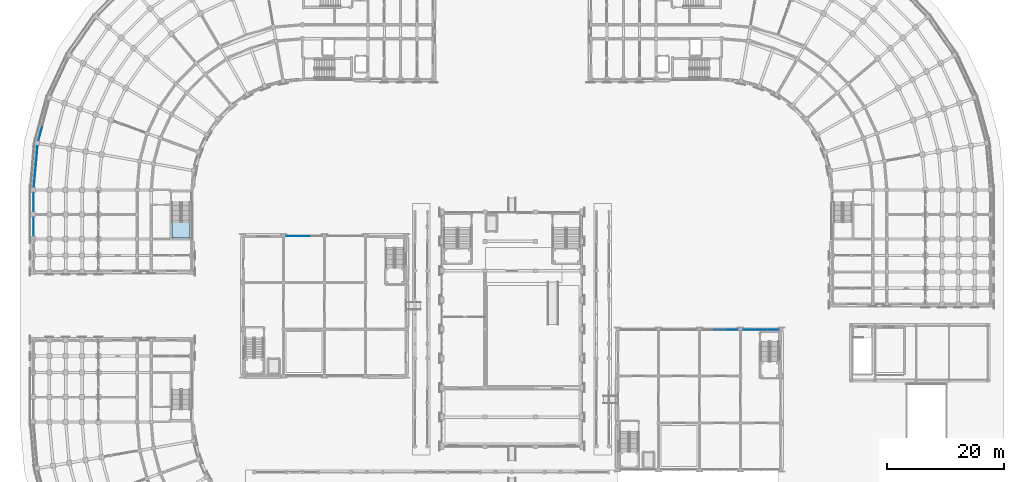
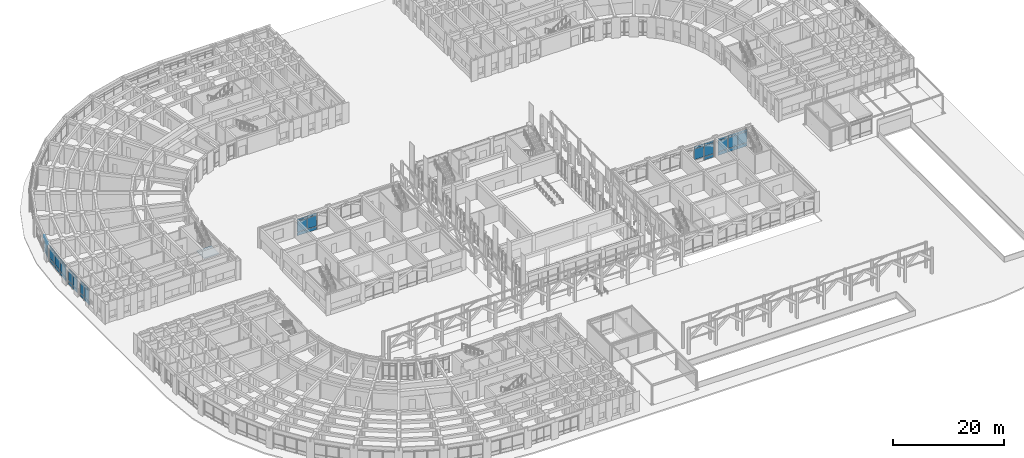
# One storey, part 63 of 135: 44 plates, 1 slab, 8 elements without a shape of their own.
"""IFC4 building model written with IfcOpenShell, lengths in metres."""

from ifc_helpers import new_model, si_unit, direction, frame, origin, origin_2d, place, context, subcontext, project, spatial, polyline, rectangle, outline, extrude, material, layer, layer_set, type_object, element, aggregate, save


model = new_model("IFC4")

# Units and contexts
model_context = context("Model", 3, precision=1e-05, world=origin(), true_north=direction((0.0, 1.0)))
body_context = subcontext(model_context, "Body", "Model", "MODEL_VIEW")
ifc_project = project(units=[si_unit("LENGTHUNIT", "METRE"), si_unit("AREAUNIT", "SQUARE_METRE"), si_unit("VOLUMEUNIT", "CUBIC_METRE"), si_unit("PLANEANGLEUNIT", "RADIAN"), si_unit("MASSUNIT", "GRAM", prefix="KILO")], contexts=[model_context])

# Site, building, storey
site_placement = place(None, origin())
site = spatial("IfcSite", under=ifc_project, at=site_placement, CompositionType="ELEMENT")
building_placement = place(site_placement, origin())
building = spatial("IfcBuilding", under=site, at=building_placement, Name="Kiranvali Square Residences", CompositionType="ELEMENT")
storey_placement = place(building_placement, origin())
storey = spatial("IfcBuildingStorey", under=building, at=storey_placement, Name="L00", CompositionType="ELEMENT", Elevation=0.0)

# Curtain wall, plates
ifc_material_1 = material(Name="Anodised bronze aluminium framing", Category="aluminium")
curtain_wall_type_1 = type_object("IfcCurtainWallType", Name="CW-RET-SHOP", PredefinedType="USERDEFINED", material=ifc_material_1)
curtain_wall_1_placement = place(storey_placement, origin())
curtain_wall_1 = element("IfcCurtainWall", 1, at=curtain_wall_1_placement, inside=storey, type_object=curtain_wall_type_1, Name="Block A L00 rounded-corner arcade curtain wall 8", ObjectType="CURTAIN WALL", PredefinedType="USERDEFINED")
ifc_material_2 = material(Name="Solar-control low-e double glazing", Category="glass")
ifc_layer_1 = layer(ifc_material_2, 0.028076171875)
ifc_layer_set_1 = layer_set([ifc_layer_1], Name="Solar-control low-e double glazing")
plate_type_1 = type_object("IfcPlateType", Name="PLT-CW-GLZ", PredefinedType="CURTAIN_PANEL", material=ifc_layer_set_1)
plate_1_placement = place(storey_placement, frame((3.48095703125, 97.381103515625, 0.89013671875), z_axis=(0.0, 0.0, 1.0), x_axis=(-0.258819045103, -0.965925826289, 0.0)))
plate_1 = element("IfcPlate", 2, at=plate_1_placement, type_object=plate_type_1, Name="CW-A-L00-CRV-07 glazed panel 3.2", PredefinedType="CURTAIN_PANEL", context=body_context, shape_type="SweptSolid", body=[
    extrude(rectangle(XDim=2.239501953125, YDim=0.028076171875, at=origin_2d()), origin(), (0.0, 0.0, 1.0), 2.169921875),
])
plate_2_placement = place(storey_placement, frame((3.48095703125, 97.381103515625, 3.14013671875), z_axis=(0.0, 0.0, 1.0), x_axis=(-0.258819045103, -0.965925826289, 0.0)))
plate_2 = element("IfcPlate", 3, at=plate_2_placement, type_object=plate_type_1, Name="CW-A-L00-CRV-07 glazed panel 3.3", PredefinedType="CURTAIN_PANEL", context=body_context, shape_type="SweptSolid", body=[
    extrude(rectangle(XDim=2.239501953125, YDim=0.028076171875, at=origin_2d()), origin(), (0.0, 0.0, 1.0), 0.429931640625),
])

curtain_wall_2_placement = place(storey_placement, origin())
curtain_wall_2 = element("IfcCurtainWall", 4, at=curtain_wall_2_placement, inside=storey, type_object=curtain_wall_type_1, Name="Block A L00 rounded-corner arcade curtain wall 9", ObjectType="CURTAIN WALL", PredefinedType="USERDEFINED")
plate_3_placement = place(storey_placement, frame((2.90087890625, 94.091552734375, 0.89013671875), z_axis=(0.0, 0.0, 1.0), x_axis=(-0.087155742748, -0.996194698092, 0.0)))
plate_3 = element("IfcPlate", 5, at=plate_3_placement, type_object=plate_type_1, Name="CW-A-L00-CRV-08 glazed panel 1.2", PredefinedType="CURTAIN_PANEL", context=body_context, shape_type="SweptSolid", body=[
    extrude(rectangle(XDim=2.239501953125, YDim=0.028076171875, at=origin_2d()), origin(), (0.0, 0.0, 1.0), 2.169921875),
])
plate_4_placement = place(storey_placement, frame((2.90087890625, 94.091552734375, 3.14013671875), z_axis=(0.0, 0.0, 1.0), x_axis=(-0.087155742748, -0.996194698092, 0.0)))
plate_4 = element("IfcPlate", 6, at=plate_4_placement, type_object=plate_type_1, Name="CW-A-L00-CRV-08 glazed panel 1.3", PredefinedType="CURTAIN_PANEL", context=body_context, shape_type="SweptSolid", body=[
    extrude(rectangle(XDim=2.239501953125, YDim=0.028076171875, at=origin_2d()), origin(), (0.0, 0.0, 1.0), 0.429931640625),
])
plate_5_placement = place(storey_placement, frame((2.69873046875, 91.78076171875, 0.89013671875), z_axis=(0.0, 0.0, 1.0), x_axis=(-0.087155742748, -0.996194698092, 0.0)))
plate_5 = element("IfcPlate", 7, at=plate_5_placement, type_object=plate_type_1, Name="CW-A-L00-CRV-08 glazed panel 2.2", PredefinedType="CURTAIN_PANEL", context=body_context, shape_type="SweptSolid", body=[
    extrude(rectangle(XDim=2.239501953125, YDim=0.028076171875, at=origin_2d()), origin(), (0.0, 0.0, 1.0), 2.169921875),
])
plate_6_placement = place(storey_placement, frame((2.69873046875, 91.78076171875, 3.14013671875), z_axis=(0.0, 0.0, 1.0), x_axis=(-0.087155742748, -0.996194698092, 0.0)))
plate_6 = element("IfcPlate", 8, at=plate_6_placement, type_object=plate_type_1, Name="CW-A-L00-CRV-08 glazed panel 2.3", PredefinedType="CURTAIN_PANEL", context=body_context, shape_type="SweptSolid", body=[
    extrude(rectangle(XDim=2.239501953125, YDim=0.028076171875, at=origin_2d()), origin(), (0.0, 0.0, 1.0), 0.429931640625),
])
plate_7_placement = place(storey_placement, frame((2.49658203125, 89.47021484375, 0.89013671875), z_axis=(0.0, 0.0, 1.0), x_axis=(-0.087155742748, -0.996194698092, 0.0)))
plate_7 = element("IfcPlate", 9, at=plate_7_placement, type_object=plate_type_1, Name="CW-A-L00-CRV-08 glazed panel 3.2", PredefinedType="CURTAIN_PANEL", context=body_context, shape_type="SweptSolid", body=[
    extrude(rectangle(XDim=2.239501953125, YDim=0.028076171875, at=origin_2d()), origin(), (0.0, 0.0, 1.0), 2.169921875),
])
plate_8_placement = place(storey_placement, frame((2.49658203125, 89.47021484375, 3.14013671875), z_axis=(0.0, 0.0, 1.0), x_axis=(-0.087155742748, -0.996194698092, 0.0)))
plate_8 = element("IfcPlate", 10, at=plate_8_placement, type_object=plate_type_1, Name="CW-A-L00-CRV-08 glazed panel 3.3", PredefinedType="CURTAIN_PANEL", context=body_context, shape_type="SweptSolid", body=[
    extrude(rectangle(XDim=2.239501953125, YDim=0.028076171875, at=origin_2d()), origin(), (0.0, 0.0, 1.0), 0.429931640625),
])

curtain_wall_3_placement = place(storey_placement, origin())
curtain_wall_3 = element("IfcCurtainWall", 11, at=curtain_wall_3_placement, inside=storey, type_object=curtain_wall_type_1, Name="L00 curtain wall CW-A-L00-A2-0", ObjectType="CURTAIN WALL", PredefinedType="USERDEFINED")
plate_9_placement = place(storey_placement, frame((2.320068359375, 86.485107421875, 0.89013671875), z_axis=(0.0, 0.0, 1.0), x_axis=(0.0, -1.0, 0.0)))
plate_9 = element("IfcPlate", 12, at=plate_9_placement, type_object=plate_type_1, Name="CW-A-L00-A2-0 glazed panel 1.2", PredefinedType="CURTAIN_PANEL", context=body_context, shape_type="SweptSolid", body=[
    extrude(rectangle(XDim=1.489990234375, YDim=0.028076171875, at=origin_2d()), origin(), (0.0, 0.0, 1.0), 2.169921875),
])
plate_10_placement = place(storey_placement, frame((2.320068359375, 86.485107421875, 3.14013671875), z_axis=(0.0, 0.0, 1.0), x_axis=(0.0, -1.0, 0.0)))
plate_10 = element("IfcPlate", 13, at=plate_10_placement, type_object=plate_type_1, Name="CW-A-L00-A2-0 glazed panel 1.3", PredefinedType="CURTAIN_PANEL", context=body_context, shape_type="SweptSolid", body=[
    extrude(rectangle(XDim=1.489990234375, YDim=0.028076171875, at=origin_2d()), origin(), (0.0, 0.0, 1.0), 0.429931640625),
])
plate_11_placement = place(storey_placement, frame((2.320068359375, 84.9150390625, 0.89013671875), z_axis=(0.0, 0.0, 1.0), x_axis=(0.0, -1.0, 0.0)))
plate_11 = element("IfcPlate", 14, at=plate_11_placement, type_object=plate_type_1, Name="CW-A-L00-A2-0 glazed panel 2.2", PredefinedType="CURTAIN_PANEL", context=body_context, shape_type="SweptSolid", body=[
    extrude(rectangle(XDim=1.489990234375, YDim=0.028076171875, at=origin_2d()), origin(), (0.0, 0.0, 1.0), 2.169921875),
])
plate_12_placement = place(storey_placement, frame((2.320068359375, 84.9150390625, 3.14013671875), z_axis=(0.0, 0.0, 1.0), x_axis=(0.0, -1.0, 0.0)))
plate_12 = element("IfcPlate", 15, at=plate_12_placement, type_object=plate_type_1, Name="CW-A-L00-A2-0 glazed panel 2.3", PredefinedType="CURTAIN_PANEL", context=body_context, shape_type="SweptSolid", body=[
    extrude(rectangle(XDim=1.489990234375, YDim=0.028076171875, at=origin_2d()), origin(), (0.0, 0.0, 1.0), 0.429931640625),
])

curtain_wall_4_placement = place(storey_placement, origin())
curtain_wall_4 = element("IfcCurtainWall", 16, at=curtain_wall_4_placement, inside=storey, type_object=curtain_wall_type_1, Name="L00 curtain wall CW-A-L00-A2-1", ObjectType="CURTAIN WALL", PredefinedType="USERDEFINED")
plate_13_placement = place(storey_placement, frame((2.320068359375, 82.284912109375, 0.89013671875), z_axis=(0.0, 0.0, 1.0), x_axis=(0.0, -1.0, 0.0)))
plate_13 = element("IfcPlate", 17, at=plate_13_placement, type_object=plate_type_1, Name="CW-A-L00-A2-1 glazed panel 1.2", PredefinedType="CURTAIN_PANEL", context=body_context, shape_type="SweptSolid", body=[
    extrude(rectangle(XDim=1.489990234375, YDim=0.028076171875, at=origin_2d()), origin(), (0.0, 0.0, 1.0), 2.169921875),
])
plate_14_placement = place(storey_placement, frame((2.320068359375, 82.284912109375, 3.14013671875), z_axis=(0.0, 0.0, 1.0), x_axis=(0.0, -1.0, 0.0)))
plate_14 = element("IfcPlate", 18, at=plate_14_placement, type_object=plate_type_1, Name="CW-A-L00-A2-1 glazed panel 1.3", PredefinedType="CURTAIN_PANEL", context=body_context, shape_type="SweptSolid", body=[
    extrude(rectangle(XDim=1.489990234375, YDim=0.028076171875, at=origin_2d()), origin(), (0.0, 0.0, 1.0), 0.429931640625),
])
plate_15_placement = place(storey_placement, frame((2.320068359375, 80.715087890625, 0.89013671875), z_axis=(0.0, 0.0, 1.0), x_axis=(0.0, -1.0, 0.0)))
plate_15 = element("IfcPlate", 19, at=plate_15_placement, type_object=plate_type_1, Name="CW-A-L00-A2-1 glazed panel 2.2", PredefinedType="CURTAIN_PANEL", context=body_context, shape_type="SweptSolid", body=[
    extrude(rectangle(XDim=1.489990234375, YDim=0.028076171875, at=origin_2d()), origin(), (0.0, 0.0, 1.0), 2.169921875),
])
plate_16_placement = place(storey_placement, frame((2.320068359375, 80.715087890625, 3.14013671875), z_axis=(0.0, 0.0, 1.0), x_axis=(0.0, -1.0, 0.0)))
plate_16 = element("IfcPlate", 20, at=plate_16_placement, type_object=plate_type_1, Name="CW-A-L00-A2-1 glazed panel 2.3", PredefinedType="CURTAIN_PANEL", context=body_context, shape_type="SweptSolid", body=[
    extrude(rectangle(XDim=1.489990234375, YDim=0.028076171875, at=origin_2d()), origin(), (0.0, 0.0, 1.0), 0.429931640625),
])

curtain_wall_type_2 = type_object("IfcCurtainWallType", Name="CW-PAV-GLZ", PredefinedType="USERDEFINED", material=ifc_material_1)
curtain_wall_5_placement = place(storey_placement, origin())
curtain_wall_5 = element("IfcCurtainWall", 21, at=curtain_wall_5_placement, inside=storey, type_object=curtain_wall_type_2, Name="Nursery Pavilion north arcade curtain wall 2", ObjectType="CURTAIN WALL", PredefinedType="USERDEFINED")
plate_17_placement = place(storey_placement, frame((46.453369140625, 79.89990234375, 0.889892578125), z_axis=(0.0, 0.0, 1.0), x_axis=(1.0, 0.0, 0.0)))
plate_17 = element("IfcPlate", 22, at=plate_17_placement, type_object=plate_type_1, Name="CW-NR-N0-1 glazed panel 1.2", PredefinedType="CURTAIN_PANEL", context=body_context, shape_type="SweptSolid", body=[
    extrude(rectangle(XDim=1.966796875, YDim=0.028076171875, at=origin_2d()), origin(), (0.0, 0.0, 1.0), 2.3701171875),
])
plate_18_placement = place(storey_placement, frame((46.453369140625, 79.89990234375, 3.33984375), z_axis=(0.0, 0.0, 1.0), x_axis=(1.0, 0.0, 0.0)))
plate_18 = element("IfcPlate", 23, at=plate_18_placement, type_object=plate_type_1, Name="CW-NR-N0-1 glazed panel 1.3", PredefinedType="CURTAIN_PANEL", context=body_context, shape_type="SweptSolid", body=[
    extrude(rectangle(XDim=1.966796875, YDim=0.028076171875, at=origin_2d()), origin(), (0.0, 0.0, 1.0), 0.429931640625),
])
plate_19_placement = place(storey_placement, frame((48.5, 79.89990234375, 0.889892578125), z_axis=(0.0, 0.0, 1.0), x_axis=(1.0, 0.0, 0.0)))
plate_19 = element("IfcPlate", 24, at=plate_19_placement, type_object=plate_type_1, Name="CW-NR-N0-1 glazed panel 2.2", PredefinedType="CURTAIN_PANEL", context=body_context, shape_type="SweptSolid", body=[
    extrude(rectangle(XDim=1.966796875, YDim=0.028076171875, at=origin_2d()), origin(), (0.0, 0.0, 1.0), 2.3701171875),
])
plate_20_placement = place(storey_placement, frame((48.5, 79.89990234375, 3.33984375), z_axis=(0.0, 0.0, 1.0), x_axis=(1.0, 0.0, 0.0)))
plate_20 = element("IfcPlate", 25, at=plate_20_placement, type_object=plate_type_1, Name="CW-NR-N0-1 glazed panel 2.3", PredefinedType="CURTAIN_PANEL", context=body_context, shape_type="SweptSolid", body=[
    extrude(rectangle(XDim=1.966796875, YDim=0.028076171875, at=origin_2d()), origin(), (0.0, 0.0, 1.0), 0.429931640625),
])

curtain_wall_6_placement = place(storey_placement, origin())
curtain_wall_6 = element("IfcCurtainWall", 26, at=curtain_wall_6_placement, inside=storey, type_object=curtain_wall_type_2, Name="Southeast Square Retail Pavilion north arcade curtain wall 3", ObjectType="CURTAIN WALL", PredefinedType="USERDEFINED")
plate_21_placement = place(storey_placement, frame((119.5, 63.89990234375, 0.889892578125), z_axis=(0.0, 0.0, 1.0), x_axis=(1.0, 0.0, 0.0)))
plate_21 = element("IfcPlate", 27, at=plate_21_placement, type_object=plate_type_1, Name="CW-RT-N0-2 glazed panel 2.2", PredefinedType="CURTAIN_PANEL", context=body_context, shape_type="SweptSolid", body=[
    extrude(rectangle(XDim=1.966796875, YDim=0.028076171875, at=origin_2d()), origin(), (0.0, 0.0, 1.0), 2.3701171875),
])
plate_22_placement = place(storey_placement, frame((119.5, 63.89990234375, 3.33984375), z_axis=(0.0, 0.0, 1.0), x_axis=(1.0, 0.0, 0.0)))
plate_22 = element("IfcPlate", 28, at=plate_22_placement, type_object=plate_type_1, Name="CW-RT-N0-2 glazed panel 2.3", PredefinedType="CURTAIN_PANEL", context=body_context, shape_type="SweptSolid", body=[
    extrude(rectangle(XDim=1.966796875, YDim=0.028076171875, at=origin_2d()), origin(), (0.0, 0.0, 1.0), 0.429931640625),
])
plate_23_placement = place(storey_placement, frame((121.546630859375, 63.89990234375, 0.889892578125), z_axis=(0.0, 0.0, 1.0), x_axis=(1.0, 0.0, 0.0)))
plate_23 = element("IfcPlate", 29, at=plate_23_placement, type_object=plate_type_1, Name="CW-RT-N0-2 glazed panel 3.2", PredefinedType="CURTAIN_PANEL", context=body_context, shape_type="SweptSolid", body=[
    extrude(rectangle(XDim=1.966796875, YDim=0.028076171875, at=origin_2d()), origin(), (0.0, 0.0, 1.0), 2.3701171875),
])
plate_24_placement = place(storey_placement, frame((121.546630859375, 63.89990234375, 3.33984375), z_axis=(0.0, 0.0, 1.0), x_axis=(1.0, 0.0, 0.0)))
plate_24 = element("IfcPlate", 30, at=plate_24_placement, type_object=plate_type_1, Name="CW-RT-N0-2 glazed panel 3.3", PredefinedType="CURTAIN_PANEL", context=body_context, shape_type="SweptSolid", body=[
    extrude(rectangle(XDim=1.966796875, YDim=0.028076171875, at=origin_2d()), origin(), (0.0, 0.0, 1.0), 0.429931640625),
])

curtain_wall_7_placement = place(storey_placement, origin())
curtain_wall_7 = element("IfcCurtainWall", 31, at=curtain_wall_7_placement, inside=storey, type_object=curtain_wall_type_2, Name="Southeast Square Retail Pavilion north arcade curtain wall 4", ObjectType="CURTAIN WALL", PredefinedType="USERDEFINED")
plate_25_placement = place(storey_placement, frame((124.453369140625, 63.89990234375, 0.889892578125), z_axis=(0.0, 0.0, 1.0), x_axis=(1.0, 0.0, 0.0)))
plate_25 = element("IfcPlate", 32, at=plate_25_placement, type_object=plate_type_1, Name="CW-RT-N0-3 glazed panel 1.2", PredefinedType="CURTAIN_PANEL", context=body_context, shape_type="SweptSolid", body=[
    extrude(rectangle(XDim=1.966796875, YDim=0.028076171875, at=origin_2d()), origin(), (0.0, 0.0, 1.0), 2.3701171875),
])
plate_26_placement = place(storey_placement, frame((124.453369140625, 63.89990234375, 3.33984375), z_axis=(0.0, 0.0, 1.0), x_axis=(1.0, 0.0, 0.0)))
plate_26 = element("IfcPlate", 33, at=plate_26_placement, type_object=plate_type_1, Name="CW-RT-N0-3 glazed panel 1.3", PredefinedType="CURTAIN_PANEL", context=body_context, shape_type="SweptSolid", body=[
    extrude(rectangle(XDim=1.966796875, YDim=0.028076171875, at=origin_2d()), origin(), (0.0, 0.0, 1.0), 0.429931640625),
])
plate_27_placement = place(storey_placement, frame((126.5, 63.89990234375, 0.889892578125), z_axis=(0.0, 0.0, 1.0), x_axis=(1.0, 0.0, 0.0)))
plate_27 = element("IfcPlate", 34, at=plate_27_placement, type_object=plate_type_1, Name="CW-RT-N0-3 glazed panel 2.2", PredefinedType="CURTAIN_PANEL", context=body_context, shape_type="SweptSolid", body=[
    extrude(rectangle(XDim=1.966796875, YDim=0.028076171875, at=origin_2d()), origin(), (0.0, 0.0, 1.0), 2.3701171875),
])
plate_28_placement = place(storey_placement, frame((126.5, 63.89990234375, 3.33984375), z_axis=(0.0, 0.0, 1.0), x_axis=(1.0, 0.0, 0.0)))
plate_28 = element("IfcPlate", 35, at=plate_28_placement, type_object=plate_type_1, Name="CW-RT-N0-3 glazed panel 2.3", PredefinedType="CURTAIN_PANEL", context=body_context, shape_type="SweptSolid", body=[
    extrude(rectangle(XDim=1.966796875, YDim=0.028076171875, at=origin_2d()), origin(), (0.0, 0.0, 1.0), 0.429931640625),
])
plate_29_placement = place(storey_placement, frame((128.546630859375, 63.89990234375, 0.889892578125), z_axis=(0.0, 0.0, 1.0), x_axis=(1.0, 0.0, 0.0)))
plate_29 = element("IfcPlate", 36, at=plate_29_placement, type_object=plate_type_1, Name="CW-RT-N0-3 glazed panel 3.2", PredefinedType="CURTAIN_PANEL", context=body_context, shape_type="SweptSolid", body=[
    extrude(rectangle(XDim=1.966796875, YDim=0.028076171875, at=origin_2d()), origin(), (0.0, 0.0, 1.0), 2.3701171875),
])
plate_30_placement = place(storey_placement, frame((128.546630859375, 63.89990234375, 3.33984375), z_axis=(0.0, 0.0, 1.0), x_axis=(1.0, 0.0, 0.0)))
plate_30 = element("IfcPlate", 37, at=plate_30_placement, type_object=plate_type_1, Name="CW-RT-N0-3 glazed panel 3.3", PredefinedType="CURTAIN_PANEL", context=body_context, shape_type="SweptSolid", body=[
    extrude(rectangle(XDim=1.966796875, YDim=0.028076171875, at=origin_2d()), origin(), (0.0, 0.0, 1.0), 0.429931640625),
])

# Plate
ifc_material_3 = material(Name="Honed Porbandar limestone ashlar facade cladding", Category="masonry")
ifc_layer_2 = layer(ifc_material_3, 0.02392578125)
ifc_layer_set_2 = layer_set([ifc_layer_2], Name="Honed Porbandar limestone ashlar facade cladding")
plate_type_2 = type_object("IfcPlateType", Name="PLT-CW-SPN", PredefinedType="SHEET", material=ifc_layer_set_2)
plate_31_placement = place(storey_placement, frame((3.48095703125, 97.381103515625, 0.080078125), z_axis=(0.0, 0.0, 1.0), x_axis=(-0.258819045103, -0.965925826289, 0.0)))
plate_31 = element("IfcPlate", 38, at=plate_31_placement, type_object=plate_type_2, Name="CW-A-L00-CRV-07 spandrel panel 3.1", PredefinedType="SHEET", context=body_context, shape_type="SweptSolid", body=[
    extrude(rectangle(XDim=2.239501953125, YDim=0.02392578125, at=origin_2d()), origin(), (0.0, 0.0, 1.0), 0.72998046875),
])

aggregate(curtain_wall_1, [plate_31, plate_1, plate_2])

plate_32_placement = place(storey_placement, frame((2.90087890625, 94.091552734375, 0.080078125), z_axis=(0.0, 0.0, 1.0), x_axis=(-0.087155742748, -0.996194698092, 0.0)))
plate_32 = element("IfcPlate", 39, at=plate_32_placement, type_object=plate_type_2, Name="CW-A-L00-CRV-08 spandrel panel 1.1", PredefinedType="SHEET", context=body_context, shape_type="SweptSolid", body=[
    extrude(rectangle(XDim=2.239501953125, YDim=0.02392578125, at=origin_2d()), origin(), (0.0, 0.0, 1.0), 0.72998046875),
])

plate_33_placement = place(storey_placement, frame((2.69873046875, 91.78076171875, 0.080078125), z_axis=(0.0, 0.0, 1.0), x_axis=(-0.087155742748, -0.996194698092, 0.0)))
plate_33 = element("IfcPlate", 40, at=plate_33_placement, type_object=plate_type_2, Name="CW-A-L00-CRV-08 spandrel panel 2.1", PredefinedType="SHEET", context=body_context, shape_type="SweptSolid", body=[
    extrude(rectangle(XDim=2.239501953125, YDim=0.02392578125, at=origin_2d()), origin(), (0.0, 0.0, 1.0), 0.72998046875),
])

plate_34_placement = place(storey_placement, frame((2.49658203125, 89.47021484375, 0.080078125), z_axis=(0.0, 0.0, 1.0), x_axis=(-0.087155742748, -0.996194698092, 0.0)))
plate_34 = element("IfcPlate", 41, at=plate_34_placement, type_object=plate_type_2, Name="CW-A-L00-CRV-08 spandrel panel 3.1", PredefinedType="SHEET", context=body_context, shape_type="SweptSolid", body=[
    extrude(rectangle(XDim=2.239501953125, YDim=0.02392578125, at=origin_2d()), origin(), (0.0, 0.0, 1.0), 0.72998046875),
])

aggregate(curtain_wall_2, [plate_32, plate_3, plate_4, plate_33, plate_5, plate_6, plate_34, plate_7, plate_8])

plate_35_placement = place(storey_placement, frame((2.320068359375, 86.485107421875, 0.080078125), z_axis=(0.0, 0.0, 1.0), x_axis=(0.0, -1.0, 0.0)))
plate_35 = element("IfcPlate", 42, at=plate_35_placement, type_object=plate_type_2, Name="CW-A-L00-A2-0 spandrel panel 1.1", PredefinedType="SHEET", context=body_context, shape_type="SweptSolid", body=[
    extrude(rectangle(XDim=1.489990234375, YDim=0.02392578125, at=origin_2d()), origin(), (0.0, 0.0, 1.0), 0.72998046875),
])

plate_36_placement = place(storey_placement, frame((2.320068359375, 84.9150390625, 0.080078125), z_axis=(0.0, 0.0, 1.0), x_axis=(0.0, -1.0, 0.0)))
plate_36 = element("IfcPlate", 43, at=plate_36_placement, type_object=plate_type_2, Name="CW-A-L00-A2-0 spandrel panel 2.1", PredefinedType="SHEET", context=body_context, shape_type="SweptSolid", body=[
    extrude(rectangle(XDim=1.489990234375, YDim=0.02392578125, at=origin_2d()), origin(), (0.0, 0.0, 1.0), 0.72998046875),
])

aggregate(curtain_wall_3, [plate_35, plate_9, plate_10, plate_36, plate_11, plate_12])

plate_37_placement = place(storey_placement, frame((2.320068359375, 82.284912109375, 0.080078125), z_axis=(0.0, 0.0, 1.0), x_axis=(0.0, -1.0, 0.0)))
plate_37 = element("IfcPlate", 44, at=plate_37_placement, type_object=plate_type_2, Name="CW-A-L00-A2-1 spandrel panel 1.1", PredefinedType="SHEET", context=body_context, shape_type="SweptSolid", body=[
    extrude(rectangle(XDim=1.489990234375, YDim=0.02392578125, at=origin_2d()), origin(), (0.0, 0.0, 1.0), 0.72998046875),
])

plate_38_placement = place(storey_placement, frame((2.320068359375, 80.715087890625, 0.080078125), z_axis=(0.0, 0.0, 1.0), x_axis=(0.0, -1.0, 0.0)))
plate_38 = element("IfcPlate", 45, at=plate_38_placement, type_object=plate_type_2, Name="CW-A-L00-A2-1 spandrel panel 2.1", PredefinedType="SHEET", context=body_context, shape_type="SweptSolid", body=[
    extrude(rectangle(XDim=1.489990234375, YDim=0.02392578125, at=origin_2d()), origin(), (0.0, 0.0, 1.0), 0.72998046875),
])

aggregate(curtain_wall_4, [plate_37, plate_13, plate_14, plate_38, plate_15, plate_16])

plate_39_placement = place(storey_placement, frame((46.453369140625, 79.89990234375, 0.080078125), z_axis=(0.0, 0.0, 1.0), x_axis=(1.0, 0.0, 0.0)))
plate_39 = element("IfcPlate", 46, at=plate_39_placement, type_object=plate_type_2, Name="CW-NR-N0-1 spandrel panel 1.1", PredefinedType="SHEET", context=body_context, shape_type="SweptSolid", body=[
    extrude(rectangle(XDim=1.966796875, YDim=0.02392578125, at=origin_2d()), origin(), (0.0, 0.0, 1.0), 0.72998046875),
])

plate_40_placement = place(storey_placement, frame((48.5, 79.89990234375, 0.080078125), z_axis=(0.0, 0.0, 1.0), x_axis=(1.0, 0.0, 0.0)))
plate_40 = element("IfcPlate", 47, at=plate_40_placement, type_object=plate_type_2, Name="CW-NR-N0-1 spandrel panel 2.1", PredefinedType="SHEET", context=body_context, shape_type="SweptSolid", body=[
    extrude(rectangle(XDim=1.966796875, YDim=0.02392578125, at=origin_2d()), origin(), (0.0, 0.0, 1.0), 0.72998046875),
])

aggregate(curtain_wall_5, [plate_39, plate_17, plate_18, plate_40, plate_19, plate_20])

plate_41_placement = place(storey_placement, frame((121.546630859375, 63.89990234375, 0.080078125), z_axis=(0.0, 0.0, 1.0), x_axis=(1.0, 0.0, 0.0)))
plate_41 = element("IfcPlate", 48, at=plate_41_placement, type_object=plate_type_2, Name="CW-RT-N0-2 spandrel panel 3.1", PredefinedType="SHEET", context=body_context, shape_type="SweptSolid", body=[
    extrude(rectangle(XDim=1.966796875, YDim=0.02392578125, at=origin_2d()), origin(), (0.0, 0.0, 1.0), 0.72998046875),
])

aggregate(curtain_wall_6, [plate_21, plate_22, plate_41, plate_23, plate_24])

plate_42_placement = place(storey_placement, frame((124.453369140625, 63.89990234375, 0.080078125), z_axis=(0.0, 0.0, 1.0), x_axis=(1.0, 0.0, 0.0)))
plate_42 = element("IfcPlate", 49, at=plate_42_placement, type_object=plate_type_2, Name="CW-RT-N0-3 spandrel panel 1.1", PredefinedType="SHEET", context=body_context, shape_type="SweptSolid", body=[
    extrude(rectangle(XDim=1.966796875, YDim=0.02392578125, at=origin_2d()), origin(), (0.0, 0.0, 1.0), 0.72998046875),
])

plate_43_placement = place(storey_placement, frame((126.5, 63.89990234375, 0.080078125), z_axis=(0.0, 0.0, 1.0), x_axis=(1.0, 0.0, 0.0)))
plate_43 = element("IfcPlate", 50, at=plate_43_placement, type_object=plate_type_2, Name="CW-RT-N0-3 spandrel panel 2.1", PredefinedType="SHEET", context=body_context, shape_type="SweptSolid", body=[
    extrude(rectangle(XDim=1.966796875, YDim=0.02392578125, at=origin_2d()), origin(), (0.0, 0.0, 1.0), 0.72998046875),
])

plate_44_placement = place(storey_placement, frame((128.546630859375, 63.89990234375, 0.080078125), z_axis=(0.0, 0.0, 1.0), x_axis=(1.0, 0.0, 0.0)))
plate_44 = element("IfcPlate", 51, at=plate_44_placement, type_object=plate_type_2, Name="CW-RT-N0-3 spandrel panel 3.1", PredefinedType="SHEET", context=body_context, shape_type="SweptSolid", body=[
    extrude(rectangle(XDim=1.966796875, YDim=0.02392578125, at=origin_2d()), origin(), (0.0, 0.0, 1.0), 0.72998046875),
])

aggregate(curtain_wall_7, [plate_42, plate_25, plate_26, plate_43, plate_27, plate_28, plate_44, plate_29, plate_30])

# Stair, slab
ifc_material_4 = material(Name="Concrete M35 (35 MPa)", Category="concrete")
stair_type = type_object("IfcStairType", Name="ST-CORE-1700", PredefinedType="HALF_TURN_STAIR", material=ifc_material_4)
stair_placement = place(storey_placement, origin())
stair = element("IfcStair", 52, at=stair_placement, inside=storey, type_object=stair_type, Name="L00 Block A Wing Protected Exit Stair 3", PredefinedType="HALF_TURN_STAIR")
ifc_layer_3 = layer(ifc_material_4, 0.199951171875)
ifc_layer_set_3 = layer_set([ifc_layer_3], Name="Concrete M35 (35 MPa)")
slab_type = type_object("IfcSlabType", Name="SLB-LND-200", PredefinedType="LANDING", material=ifc_layer_set_3)
slab_placement = place(storey_placement, frame((0.0, 0.0, 2.050048828125)))
slab = element("IfcSlab", 53, at=slab_placement, type_object=slab_type, Name="ST-A3 landing 1", PredefinedType="LANDING", context=body_context, shape_type="SweptSolid", body=[
    extrude(outline(polyline([(25.949951171875, 82.280029296875), (25.949951171875, 79.550048828125), (29.050048828125, 79.550048828125), (29.050048828125, 82.280029296875), (25.949951171875, 82.280029296875)])), origin(), (0.0, 0.0, 1.0), 0.199951171875),
])
aggregate(stair, [slab])

save(model, "model.ifc")
